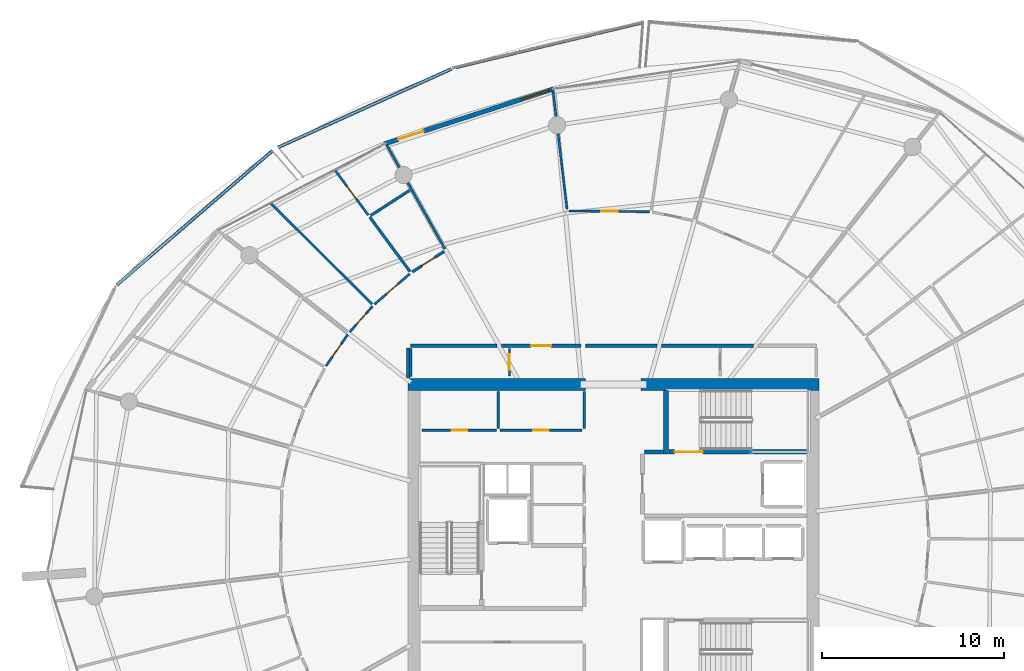
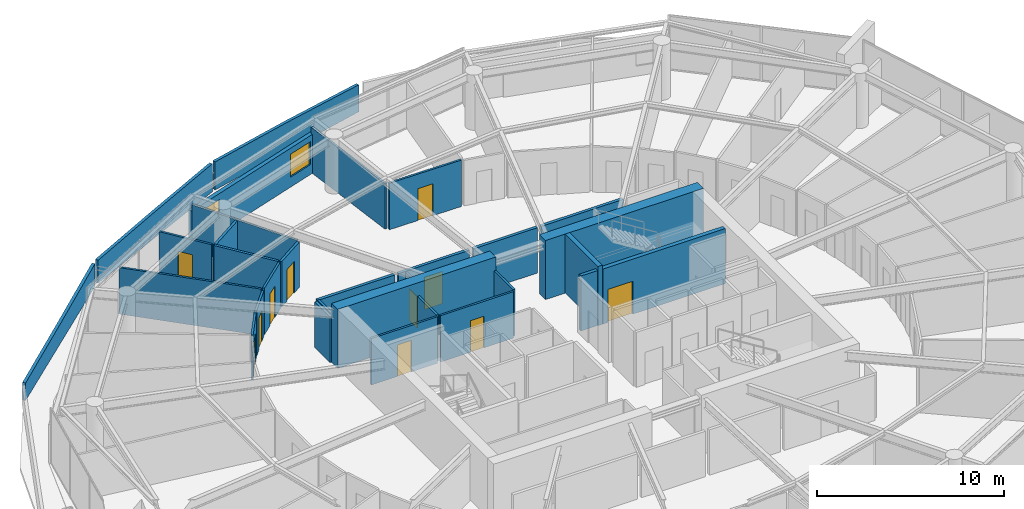
# One storey, part 22 of 31: 31 walls, 12 doors, 1 window, 13 openings.
"""IFC4 building model written with IfcOpenShell, lengths in metres."""

from ifc_helpers import new_model, si_unit, direction, frame, frame_2d, origin, place, context, subcontext, project, spatial, polyline, rectangle, outline, extrude, material, layer, layer_set, type_object, element, fill, save


model = new_model("IFC4")

# Units and contexts
model_context = context("Model", 3, precision=1e-05, world=origin(), true_north=direction((0.0, 1.0)))
body_context = subcontext(model_context, "Body", "Model", "MODEL_VIEW")
ifc_project = project(units=[si_unit("LENGTHUNIT", "METRE"), si_unit("AREAUNIT", "SQUARE_METRE"), si_unit("VOLUMEUNIT", "CUBIC_METRE"), si_unit("PLANEANGLEUNIT", "RADIAN"), si_unit("MASSUNIT", "GRAM", prefix="KILO")], contexts=[model_context])

# Site, building, storey
site_placement = place(None, origin())
site = spatial("IfcSite", under=ifc_project, at=site_placement, CompositionType="ELEMENT")
building_placement = place(site_placement, origin())
building = spatial("IfcBuilding", under=site, at=building_placement, Name="Kazma Halo Residences", CompositionType="ELEMENT")
storey_placement = place(building_placement, frame((0.0, 0.0, 248.25)))
storey = spatial("IfcBuildingStorey", under=building, at=storey_placement, Name="L62", CompositionType="ELEMENT", Elevation=248.25)

# Walls
ifc_material_1 = material(Name="White Concrete C50/60 Balustrade", Category="concrete")
ifc_layer_1 = layer(ifc_material_1, 0.179931640625)
ifc_layer_set_1 = layer_set([ifc_layer_1], Name="White Concrete C50/60 Balustrade")
wall_type_1 = type_object("IfcWallType", Name="WL-BAL-WAVE-180", PredefinedType="PARAPET", material=ifc_layer_set_1)
wall_1_placement = place(storey_placement, frame((50.047607421875, 70.219482421875, 0.0), z_axis=(0.0, 0.0, 1.0), x_axis=(-0.972325059784, -0.233632142729, 0.0)))
element("IfcWall", 1, at=wall_1_placement, inside=storey, type_object=wall_type_1, Name="L62 white wave balustrade wall NNW.1", PredefinedType="PARAPET", context=body_context, shape_type="SweptSolid", body=[
    extrude(outline(polyline([(0.0, 0.0), (10.580322265625, 0.0), (10.580322265625, 1.83203125), (5.290283203125, 1.85302734375), (0.0, 1.756103515625), (0.0, 0.0)])), frame((0.0, 0.08984375, 0.0), z_axis=(0.0, -1.0, 0.0), x_axis=(1.0, 0.0, 0.0)), (0.0, 0.0, 1.0), 0.179931640625),
])
wall_2_placement = place(storey_placement, frame((39.533935546875, 67.670166015625, 0.0), z_axis=(0.0, 0.0, 1.0), x_axis=(-0.910900469726, -0.412626143444, 0.0)))
element("IfcWall", 2, at=wall_2_placement, inside=storey, type_object=wall_type_1, Name="L62 white wave balustrade wall NNW.2", PredefinedType="PARAPET", context=body_context, shape_type="SweptSolid", body=[
    extrude(outline(polyline([(0.0, 0.0), (10.4755859375, 0.0), (10.4755859375, 1.4970703125), (5.23779296875, 1.696044921875), (0.0, 1.83203125), (0.0, 0.0)])), frame((0.0, 0.08984375, 0.0), z_axis=(0.0, -1.0, 0.0), x_axis=(1.0, 0.0, 0.0)), (0.0, 0.0, 1.0), 0.179931640625),
])
wall_3_placement = place(storey_placement, frame((29.69384765625, 63.17041015625, 0.0), z_axis=(0.0, 0.0, 1.0), x_axis=(-0.757188428153, -0.653196512751, 0.0)))
element("IfcWall", 3, at=wall_3_placement, inside=storey, type_object=wall_type_1, Name="L62 white wave balustrade wall NW.1", PredefinedType="PARAPET", context=body_context, shape_type="SweptSolid", body=[
    extrude(outline(polyline([(0.0, 0.0), (11.2783203125, 0.0), (11.2783203125, 1.14794921875), (5.63916015625, 1.283935546875), (0.0, 1.48291015625), (0.0, 0.0)])), frame((0.0, 0.08984375, 0.0), z_axis=(0.0, -1.0, 0.0), x_axis=(1.0, 0.0, 0.0)), (0.0, 0.0, 1.0), 0.179931640625),
])
ifc_material_2 = material(Name="Concrete C60/75", Category="concrete")
ifc_layer_2 = layer(ifc_material_2, 0.64990234375)
ifc_layer_set_2 = layer_set([ifc_layer_2], Name="Concrete C60/75")
wall_type_2 = type_object("IfcWallType", Name="WL-CORE-650", PredefinedType="SHEAR", material=ifc_layer_set_2)
for number, where, z_axis, x_axis, name in (
    (4, (37.14990234375, 50.324951171875, 0.0), (0.0, 0.0, 1.0), (1.0, 0.0, 0.0), "L62 central core shear wall NW"),
    (5, (49.949951171875, 50.324951171875, 0.0), (0.0, 0.0, 1.0), (1.0, 0.0, 0.0), "L62 central core shear wall NE"),
):
    element("IfcWall", number, at=place(storey_placement, frame(where, z_axis=z_axis, x_axis=x_axis)), inside=storey, type_object=wall_type_2, Name=name, PredefinedType="SHEAR", context=body_context, shape_type="SweptSolid", body=[
        extrude(rectangle(XDim=9.75, YDim=0.64990234375, at=frame_2d((4.875, 0.0))), origin(), (0.0, 0.0, 1.0), 3.85009765625),
    ])
ifc_layer_3 = layer(ifc_material_2, 0.280029296875)
ifc_layer_set_3 = layer_set([ifc_layer_3], Name="Concrete C60/75")
wall_type_3 = type_object("IfcWallType", Name="WL-CORE-ST-280", PredefinedType="SHEAR", material=ifc_layer_set_3)
wall_4_placement = place(storey_placement, frame((51.31005859375, 46.5, 0.0), z_axis=(0.0, 0.0, 1.0), x_axis=(0.0, 1.0, 0.0)))
element("IfcWall", 6, at=wall_4_placement, inside=storey, type_object=wall_type_3, Name="L62 stairwell bearing wall ST02-W", PredefinedType="SHEAR", context=body_context, shape_type="SweptSolid", body=[
    extrude(rectangle(XDim=3.5, YDim=0.280029296875, at=frame_2d((1.75, 0.0))), origin(), (0.0, 0.0, 1.0), 3.85009765625),
])

# Wall, opening, door
ifc_material_3 = material(Name="Acoustic Twin-Stud Gypsum")
ifc_layer_4 = layer(ifc_material_3, 0.179931640625)
ifc_layer_set_4 = layer_set([ifc_layer_4], Name="Acoustic Twin-Stud Gypsum")
wall_type_4 = type_object("IfcWallType", Name="WL-DEM-180", PredefinedType="PARTITIONING", material=ifc_layer_set_4)
wall_5_placement = place(storey_placement, frame((46.643310546875, 52.449951171875, 0.0), z_axis=(0.0, 0.0, 1.0), x_axis=(-1.0, 0.0, 0.0)))
wall_5 = element("IfcWall", 7, at=wall_5_placement, inside=storey, type_object=wall_type_4, Name="L62 Apartment 1 entrance corridor wall", PredefinedType="PARTITIONING", context=body_context, shape_type="SweptSolid", body=[
    extrude(rectangle(XDim=4.375732421875, YDim=0.179931640625, at=frame_2d((2.18798828125, 0.0))), origin(), (0.0, 0.0, 1.0), 2.95703125),
])
opening_1_placement = place(wall_5_placement, frame((1.6376953125, 0.0, 0.0)))
opening_1 = element("IfcOpeningElement", 8, at=opening_1_placement, cuts=wall_5, Name="Opening DA-1100", PredefinedType="OPENING", context=body_context, shape_type="SweptSolid", body=[
    extrude(rectangle(XDim=1.10009765625, YDim=2.10009765625, at=frame_2d((0.550048828125, 1.050048828125))), frame((0.0, 0.099853515625, 0.0), z_axis=(0.0, -1.0, 0.0), x_axis=(1.0, 0.0, 0.0)), (0.0, 0.0, 1.0), 0.199951171875),
])
ifc_material_4 = material(Name="Acoustic Walnut Fire Leaf")
door_type_1 = type_object("IfcDoorType", Name="DR-FD60-1100", OperationType="NOTDEFINED", PredefinedType="DOOR", material=ifc_material_4)
door_1_placement = place(opening_1_placement, origin())
door_1 = element("IfcDoor", 9, at=door_1_placement, inside=storey, type_object=door_type_1, Name="L62 Apartment 1 entrance fire door", OperationType="SINGLE_SWING_RIGHT", OverallHeight=2.10009765625, OverallWidth=1.10009765625, PredefinedType="DOOR", context=body_context, shape_type="SweptSolid", body=[
    extrude(rectangle(XDim=1.10009765625, YDim=2.10009765625, at=frame_2d((0.550048828125, 1.050048828125))), frame((0.0, 0.02490234375, 0.0), z_axis=(0.0, -1.0, 0.0), x_axis=(1.0, 0.0, 0.0)), (0.0, 0.0, 1.0), 0.050048828125),
])
fill(opening_1, door_1)

# Walls
wall_6_placement = place(storey_placement, frame((56.1181640625, 52.449951171875, 0.0), z_axis=(0.0, 0.0, 1.0), x_axis=(-1.0, 0.0, 0.0)))
element("IfcWall", 10, at=wall_6_placement, inside=storey, type_object=wall_type_4, Name="L62 Apartment 1 inner wall 1", PredefinedType="PARTITIONING", context=body_context, shape_type="SweptSolid", body=[
    extrude(rectangle(XDim=5.051025390625, YDim=0.179931640625, at=frame_2d((2.525390625, 0.0))), origin(), (0.0, 0.0, 1.0), 2.95703125),
])
wall_7_placement = place(storey_placement, frame((50.8271484375, 52.449951171875, 0.0), z_axis=(0.0, 0.0, 1.0), x_axis=(-1.0, 0.0, 0.0)))
element("IfcWall", 11, at=wall_7_placement, inside=storey, type_object=wall_type_4, Name="L62 Apartment 1 inner wall 2", PredefinedType="PARTITIONING", context=body_context, shape_type="SweptSolid", body=[
    extrude(rectangle(XDim=3.94384765625, YDim=0.179931640625, at=frame_2d((1.971923828125, 0.0))), origin(), (0.0, 0.0, 1.0), 2.95703125),
])
wall_8_placement = place(storey_placement, frame((42.027587890625, 52.449951171875, 0.0), z_axis=(0.0, 0.0, 1.0), x_axis=(-1.0, 0.0, 0.0)))
element("IfcWall", 12, at=wall_8_placement, inside=storey, type_object=wall_type_4, Name="L62 Apartment 1 inner wall 4", PredefinedType="PARTITIONING", context=body_context, shape_type="SweptSolid", body=[
    extrude(rectangle(XDim=4.757568359375, YDim=0.179931640625, at=frame_2d((2.37890625, 0.0))), origin(), (0.0, 0.0, 1.0), 2.95703125),
])
wall_9_placement = place(storey_placement, frame((37.14990234375, 52.330078125, 0.0), z_axis=(0.0, 0.0, 1.0), x_axis=(0.0, -1.0, 0.0)))
element("IfcWall", 13, at=wall_9_placement, inside=storey, type_object=wall_type_4, Name="L62 Apartment 1 inner wall 4", PredefinedType="PARTITIONING", context=body_context, shape_type="SweptSolid", body=[
    extrude(rectangle(XDim=1.656494140625, YDim=0.179931640625, at=frame_2d((0.828125, 0.0))), origin(), (0.0, 0.0, 1.0), 2.95703125),
])

# Wall, openings, door, window
ifc_material_5 = material(Name="Insulated Pale-Metal Composite Wall")
ifc_layer_5 = layer(ifc_material_5, 0.239990234375)
ifc_layer_set_5 = layer_set([ifc_layer_5], Name="Insulated Pale-Metal Composite Wall")
wall_type_5 = type_object("IfcWallType", Name="WL-EXT-HOST-240", PredefinedType="SOLIDWALL", material=ifc_layer_set_5)
wall_10_placement = place(storey_placement, frame((45.14208984375, 66.563720703125, 0.0), z_axis=(0.0, 0.0, 1.0), x_axis=(-0.951055974609, -0.309018661507, 0.0)))
wall_10 = element("IfcWall", 14, at=wall_10_placement, inside=storey, type_object=wall_type_5, Name="L62 exterior terrace-access wall B04", PredefinedType="SOLIDWALL", context=body_context, shape_type="SweptSolid", body=[
    extrude(rectangle(XDim=9.745361328125, YDim=0.239990234375, at=frame_2d((4.87255859375, 0.0))), origin(), (0.0, 0.0, 1.0), 2.5400390625),
])
opening_2_placement = place(wall_10_placement, frame((7.525390625, 0.0, 0.0)))
opening_2 = element("IfcOpeningElement", 15, at=opening_2_placement, cuts=wall_10, Name="Opening DTR-1600", PredefinedType="OPENING", context=body_context, shape_type="SweptSolid", body=[
    extrude(rectangle(XDim=1.449951171875, YDim=2.14990234375, at=frame_2d((0.72509765625, 1.074951171875))), frame((0.0, 0.1298828125, 0.0), z_axis=(0.0, -1.0, 0.0), x_axis=(1.0, 0.0, 0.0)), (0.0, 0.0, 1.0), 0.260009765625),
])
opening_3_placement = place(wall_10_placement, frame((0.280029296875, 0.0, 0.64990234375)))
opening_3 = element("IfcOpeningElement", 16, at=opening_3_placement, cuts=wall_10, Name="Opening W-1800", PredefinedType="OPENING", context=body_context, shape_type="SweptSolid", body=[
    extrude(rectangle(XDim=1.60009765625, YDim=1.5, at=frame_2d((0.800048828125, 0.75))), frame((0.0, 0.1298828125, 0.0), z_axis=(0.0, -1.0, 0.0), x_axis=(1.0, 0.0, 0.0)), (0.0, 0.0, 1.0), 0.260009765625),
])
ifc_material_6 = material(Name="Aluminium AW-6063 T6 Double-Glazed Terrace Door", Category="aluminium")
door_type_2 = type_object("IfcDoorType", Name="DR-EXT-TERR-1600", OperationType="NOTDEFINED", PredefinedType="DOOR", material=ifc_material_6)
door_2_placement = place(opening_2_placement, origin())
door_2 = element("IfcDoor", 17, at=door_2_placement, inside=storey, type_object=door_type_2, Name="L62 B04 balcony terrace door", OperationType="DOUBLE_DOOR_SLIDING", OverallHeight=2.14990234375, OverallWidth=1.449951171875, PredefinedType="DOOR", context=body_context, shape_type="SweptSolid", body=[
    extrude(rectangle(XDim=1.449951171875, YDim=2.14990234375, at=frame_2d((0.72509765625, 1.074951171875))), frame((0.0, 0.02490234375, 0.0), z_axis=(0.0, -1.0, 0.0), x_axis=(1.0, 0.0, 0.0)), (0.0, 0.0, 1.0), 0.050048828125),
])
fill(opening_2, door_2)
ifc_material_7 = material(Name="Clear Triple-Silver Low-E Glass in Aluminium AW-6063 T6 Frame", Category="aluminium")
window_type = type_object("IfcWindowType", Name="WIN-RES-1800", PartitioningType="DOUBLE_PANEL_VERTICAL", PredefinedType="WINDOW", material=ifc_material_7)
window_placement = place(opening_3_placement, origin())
window = element("IfcWindow", 18, at=window_placement, inside=storey, type_object=window_type, Name="L62 B04 apartment window", OverallHeight=1.5, OverallWidth=1.60009765625, PartitioningType="SINGLE_PANEL", PredefinedType="WINDOW", context=body_context, shape_type="SweptSolid", body=[
    extrude(rectangle(XDim=1.60009765625, YDim=1.5, at=frame_2d((0.800048828125, 0.75))), frame((0.0, 0.030029296875, 0.0), z_axis=(0.0, -1.0, 0.0), x_axis=(1.0, 0.0, 0.0)), (0.0, 0.0, 1.0), 0.06005859375),
])
fill(opening_3, window)

# Walls
ifc_material_8 = material(Name="Fire-Rated Blockwork Masonry", Category="masonry")
ifc_layer_6 = layer(ifc_material_8, 0.199951171875)
ifc_layer_set_6 = layer_set([ifc_layer_6], Name="Fire-Rated Blockwork Masonry")
wall_type_6 = type_object("IfcWallType", Name="WL-FLB-200", PredefinedType="PARTITIONING", material=ifc_layer_set_6)
wall_11_placement = place(storey_placement, frame((50.139892578125, 46.6201171875, 0.0), z_axis=(0.0, 0.0, 1.0), x_axis=(1.0, 0.0, 0.0)))
element("IfcWall", 19, at=wall_11_placement, inside=storey, type_object=wall_type_6, Name="L62 east firefighting lobby north closure wall", PredefinedType="PARTITIONING", context=body_context, shape_type="SweptSolid", body=[
    extrude(rectangle(XDim=1.02001953125, YDim=0.199951171875, at=frame_2d((0.510009765625, 0.0))), origin(), (0.0, 0.0, 1.0), 3.590087890625),
])
ifc_material_9 = material(Name="Gypsum Plasterboard Partition")
ifc_layer_7 = layer(ifc_material_9, 0.125)
ifc_layer_set_7 = layer_set([ifc_layer_7], Name="Gypsum Plasterboard Partition")
wall_type_7 = type_object("IfcWallType", Name="WL-PART-125", PredefinedType="PARTITIONING", material=ifc_layer_set_7)
for number, where, z_axis, x_axis, name in (
    (20, (46.820068359375, 47.919921875, 0.0), (0.0, 0.0, 1.0), (0.0, 1.0, 0.0), "L62 reclaimed north east wall"),
    (21, (42.10009765625, 47.919921875, 0.0), (0.0, 0.0, 1.0), (0.0, 1.0, 0.0), "L62 reclaimed north divider wall"),
):
    element("IfcWall", number, at=place(storey_placement, frame(where, z_axis=z_axis, x_axis=x_axis)), inside=storey, type_object=wall_type_7, Name=name, PredefinedType="PARTITIONING", context=body_context, shape_type="SweptSolid", body=[
        extrude(rectangle(XDim=2.030029296875, YDim=0.125, at=frame_2d((1.01513671875, 0.0))), origin(), (0.0, 0.0, 1.0), 3.030029296875),
    ])

# Wall, opening, door
wall_12_placement = place(storey_placement, frame((37.919921875, 47.820068359375, 0.0), z_axis=(0.0, 0.0, 1.0), x_axis=(1.0, 0.0, 0.0)))
wall_12 = element("IfcWall", 22, at=wall_12_placement, inside=storey, type_object=wall_type_7, Name="L62 reclaimed north W front wall", PredefinedType="PARTITIONING", context=body_context, shape_type="SweptSolid", body=[
    extrude(rectangle(XDim=4.080078125, YDim=0.125, at=frame_2d((2.0400390625, 0.0))), origin(), (0.0, 0.0, 1.0), 3.030029296875),
])
opening_4_placement = place(wall_12_placement, frame((1.614990234375, 0.0, 0.0)))
opening_4 = element("IfcOpeningElement", 23, at=opening_4_placement, cuts=wall_12, Name="Opening DS-850", PredefinedType="OPENING", context=body_context, shape_type="SweptSolid", body=[
    extrude(rectangle(XDim=0.85009765625, YDim=2.06005859375, at=frame_2d((0.425048828125, 1.030029296875))), frame((0.0, 0.072509765625, 0.0), z_axis=(0.0, -1.0, 0.0), x_axis=(1.0, 0.0, 0.0)), (0.0, 0.0, 1.0), 0.14501953125),
])
ifc_material_10 = material(Name="Painted Steel Access Leaf", Category="steel")
door_type_3 = type_object("IfcDoorType", Name="DR-SVC-850", OperationType="NOTDEFINED", PredefinedType="DOOR", material=ifc_material_10)
door_3_placement = place(opening_4_placement, origin())
door_3 = element("IfcDoor", 24, at=door_3_placement, inside=storey, type_object=door_type_3, Name="L62 reclaimed north W door", OperationType="SINGLE_SWING_RIGHT", OverallHeight=2.06005859375, OverallWidth=0.85009765625, PredefinedType="DOOR", context=body_context, shape_type="SweptSolid", body=[
    extrude(rectangle(XDim=0.85009765625, YDim=2.06005859375, at=frame_2d((0.425048828125, 1.030029296875))), frame((0.0, 0.02490234375, 0.0), z_axis=(0.0, -1.0, 0.0), x_axis=(1.0, 0.0, 0.0)), (0.0, 0.0, 1.0), 0.050048828125),
])
fill(opening_4, door_3)

wall_13_placement = place(storey_placement, frame((42.199951171875, 47.820068359375, 0.0), z_axis=(0.0, 0.0, 1.0), x_axis=(1.0, 0.0, 0.0)))
wall_13 = element("IfcWall", 25, at=wall_13_placement, inside=storey, type_object=wall_type_7, Name="L62 reclaimed north E front wall", PredefinedType="PARTITIONING", context=body_context, shape_type="SweptSolid", body=[
    extrude(rectangle(XDim=4.5, YDim=0.125, at=frame_2d((2.25, 0.0))), origin(), (0.0, 0.0, 1.0), 3.030029296875),
])
opening_5_placement = place(wall_13_placement, frame((1.824951171875, 0.0, 0.0)))
opening_5 = element("IfcOpeningElement", 26, at=opening_5_placement, cuts=wall_13, Name="Opening DS-850", PredefinedType="OPENING", context=body_context, shape_type="SweptSolid", body=[
    extrude(rectangle(XDim=0.85009765625, YDim=2.06005859375, at=frame_2d((0.425048828125, 1.030029296875))), frame((0.0, 0.072509765625, 0.0), z_axis=(0.0, -1.0, 0.0), x_axis=(1.0, 0.0, 0.0)), (0.0, 0.0, 1.0), 0.14501953125),
])
door_4_placement = place(opening_5_placement, origin())
door_4 = element("IfcDoor", 27, at=door_4_placement, inside=storey, type_object=door_type_3, Name="L62 reclaimed north E door", OperationType="SINGLE_SWING_LEFT", OverallHeight=2.06005859375, OverallWidth=0.85009765625, PredefinedType="DOOR", context=body_context, shape_type="SweptSolid", body=[
    extrude(rectangle(XDim=0.85009765625, YDim=2.06005859375, at=frame_2d((0.425048828125, 1.030029296875))), frame((0.0, 0.02490234375, 0.0), z_axis=(0.0, -1.0, 0.0), x_axis=(1.0, 0.0, 0.0)), (0.0, 0.0, 1.0), 0.050048828125),
])
fill(opening_5, door_4)

# Wall
wall_14_placement = place(storey_placement, frame((37.2900390625, 50.77001953125, 0.0), z_axis=(0.0, 0.0, 1.0), x_axis=(0.0, 1.0, 0.0)))
element("IfcWall", 28, at=wall_14_placement, inside=storey, type_object=wall_type_7, Name="L62 west linen end wall", PredefinedType="PARTITIONING", context=body_context, shape_type="SweptSolid", body=[
    extrude(rectangle(XDim=1.5400390625, YDim=0.125, at=frame_2d((0.77001953125, 0.0))), origin(), (0.0, 0.0, 1.0), 3.030029296875),
])

# Wall, opening, door
wall_15_placement = place(storey_placement, frame((42.7099609375, 50.7900390625, 0.0), z_axis=(0.0, 0.0, 1.0), x_axis=(0.0, 1.0, 0.0)))
wall_15 = element("IfcWall", 29, at=wall_15_placement, inside=storey, type_object=wall_type_7, Name="L62 floor linen store door wall", PredefinedType="PARTITIONING", context=body_context, shape_type="SweptSolid", body=[
    extrude(rectangle(XDim=1.52001953125, YDim=0.125, at=frame_2d((0.760009765625, 0.0))), origin(), (0.0, 0.0, 1.0), 2.95703125),
])
opening_6_placement = place(wall_15_placement, frame((0.3349609375, 0.0, 0.0)))
opening_6 = element("IfcOpeningElement", 30, at=opening_6_placement, cuts=wall_15, Name="Opening DS-850", PredefinedType="OPENING", context=body_context, shape_type="SweptSolid", body=[
    extrude(rectangle(XDim=0.85009765625, YDim=2.06005859375, at=frame_2d((0.425048828125, 1.030029296875))), frame((0.0, 0.072509765625, 0.0), z_axis=(0.0, -1.0, 0.0), x_axis=(1.0, 0.0, 0.0)), (0.0, 0.0, 1.0), 0.14501953125),
])
door_5_placement = place(opening_6_placement, origin())
door_5 = element("IfcDoor", 31, at=door_5_placement, inside=storey, type_object=door_type_3, Name="L62 floor linen store door", OperationType="SINGLE_SWING_LEFT", OverallHeight=2.06005859375, OverallWidth=0.85009765625, PredefinedType="DOOR", context=body_context, shape_type="SweptSolid", body=[
    extrude(rectangle(XDim=0.85009765625, YDim=2.06005859375, at=frame_2d((0.425048828125, 1.030029296875))), frame((0.0, 0.02490234375, 0.0), z_axis=(0.0, -1.0, 0.0), x_axis=(1.0, 0.0, 0.0)), (0.0, 0.0, 1.0), 0.050048828125),
])
fill(opening_6, door_5)

# Wall
wall_16_placement = place(storey_placement, frame((45.8740234375, 59.961669921875, 0.0), z_axis=(0.0, 0.0, 1.0), x_axis=(-0.117533659592, 0.993068899353, 0.0)))
element("IfcWall", 32, at=wall_16_placement, inside=storey, type_object=wall_type_7, Name="L62 Apartment 1 living radial partition 2", PredefinedType="PARTITIONING", context=body_context, shape_type="SweptSolid", body=[
    extrude(rectangle(XDim=6.607666015625, YDim=0.125, at=frame_2d((3.3037109375, 0.0))), origin(), (0.0, 0.0, 1.0), 2.95703125),
])

# Wall, opening, door
wall_17_placement = place(storey_placement, frame((50.412353515625, 59.814208984375, 0.0), z_axis=(0.0, 0.0, 1.0), x_axis=(-0.999943934923, 0.01058900422, 0.0)))
wall_17 = element("IfcWall", 33, at=wall_17_placement, inside=storey, type_object=wall_type_7, Name="L62 Apartment 1 South Master Bedroom hall wall", PredefinedType="PARTITIONING", context=body_context, shape_type="SweptSolid", body=[
    extrude(rectangle(XDim=4.4267578125, YDim=0.125, at=frame_2d((2.21337890625, 0.0))), origin(), (0.0, 0.0, 1.0), 3.030029296875),
])
opening_7_placement = place(wall_17_placement, frame((1.763427734375, 0.0, 0.0)))
opening_7 = element("IfcOpeningElement", 34, at=opening_7_placement, cuts=wall_17, Name="Opening DI-950", PredefinedType="OPENING", context=body_context, shape_type="SweptSolid", body=[
    extrude(rectangle(XDim=0.89990234375, YDim=2.080078125, at=frame_2d((0.449951171875, 1.0400390625))), frame((0.0, 0.072509765625, 0.0), z_axis=(0.0, -1.0, 0.0), x_axis=(1.0, 0.0, 0.0)), (0.0, 0.0, 1.0), 0.14501953125),
])
ifc_material_11 = material(Name="Timber Veneer Flush Leaf", Category="wood")
door_type_4 = type_object("IfcDoorType", Name="DR-INT-950", OperationType="NOTDEFINED", PredefinedType="DOOR", material=ifc_material_11)
door_6_placement = place(opening_7_placement, origin())
door_6 = element("IfcDoor", 35, at=door_6_placement, inside=storey, type_object=door_type_4, Name="L62 Apartment 1 South Master Bedroom door", OperationType="SINGLE_SWING_RIGHT", OverallHeight=2.080078125, OverallWidth=0.89990234375, PredefinedType="DOOR", context=body_context, shape_type="SweptSolid", body=[
    extrude(rectangle(XDim=0.89990234375, YDim=2.080078125, at=frame_2d((0.449951171875, 1.0400390625))), frame((0.0, 0.02490234375, 0.0), z_axis=(0.0, -1.0, 0.0), x_axis=(1.0, 0.0, 0.0)), (0.0, 0.0, 1.0), 0.050048828125),
])
fill(opening_7, door_6)

# Wall
wall_18_placement = place(storey_placement, frame((39.162353515625, 57.78076171875, 0.0), z_axis=(0.0, 0.0, 1.0), x_axis=(-0.488634212347, 0.872488742921, 0.0)))
element("IfcWall", 36, at=wall_18_placement, inside=storey, type_object=wall_type_7, Name="L62 Apartment 1 radial partition 4", PredefinedType="PARTITIONING", context=body_context, shape_type="SweptSolid", body=[
    extrude(rectangle(XDim=6.5078125, YDim=0.125, at=frame_2d((3.25390625, 0.0))), origin(), (0.0, 0.0, 1.0), 2.95703125),
])

# Wall, opening, door
wall_19_placement = place(storey_placement, frame((34.958984375, 59.62744140625, 0.0), z_axis=(0.0, 0.0, 1.0), x_axis=(-0.594802878268, 0.803871591738, 0.0)))
wall_19 = element("IfcWall", 37, at=wall_19_placement, inside=storey, type_object=wall_type_7, Name="L62 Apartment 1 Outer Walk-In Wardrobe partition wall", PredefinedType="PARTITIONING", context=body_context, shape_type="SweptSolid", body=[
    extrude(rectangle(XDim=3.06640625, YDim=0.125, at=frame_2d((1.533203125, 0.0))), origin(), (0.0, 0.0, 1.0), 3.030029296875),
])
opening_8_placement = place(wall_19_placement, frame((1.1083984375, 0.0, 0.0)))
opening_8 = element("IfcOpeningElement", 38, at=opening_8_placement, cuts=wall_19, Name="Opening DB-900", PredefinedType="OPENING", context=body_context, shape_type="SweptSolid", body=[
    extrude(rectangle(XDim=0.85009765625, YDim=2.06005859375, at=frame_2d((0.425048828125, 1.030029296875))), frame((0.0, 0.072509765625, 0.0), z_axis=(0.0, -1.0, 0.0), x_axis=(1.0, 0.0, 0.0)), (0.0, 0.0, 1.0), 0.14501953125),
])
ifc_material_12 = material(Name="Moisture-Sealed Timber Leaf", Category="wood")
door_type_5 = type_object("IfcDoorType", Name="DR-BTH-900", OperationType="NOTDEFINED", PredefinedType="DOOR", material=ifc_material_12)
door_7_placement = place(opening_8_placement, origin())
door_7 = element("IfcDoor", 39, at=door_7_placement, inside=storey, type_object=door_type_5, Name="L62 Apartment 1 Outer Walk-In Wardrobe door", OperationType="SINGLE_SWING_RIGHT", OverallHeight=2.06005859375, OverallWidth=0.85009765625, PredefinedType="DOOR", context=body_context, shape_type="SweptSolid", body=[
    extrude(rectangle(XDim=0.85009765625, YDim=2.06005859375, at=frame_2d((0.425048828125, 1.030029296875))), frame((0.0, 0.02490234375, 0.0), z_axis=(0.0, -1.0, 0.0), x_axis=(1.0, 0.0, 0.0)), (0.0, 0.0, 1.0), 0.050048828125),
])
fill(opening_8, door_7)

# Wall
wall_20_placement = place(storey_placement, frame((35.17529296875, 54.73974609375, 0.0), z_axis=(0.0, 0.0, 1.0), x_axis=(-0.709454223479, 0.70475151989, 0.0)))
element("IfcWall", 40, at=wall_20_placement, inside=storey, type_object=wall_type_7, Name="L62 Apartment 1 suite divider 4", PredefinedType="PARTITIONING", context=body_context, shape_type="SweptSolid", body=[
    extrude(rectangle(XDim=7.839111328125, YDim=0.125, at=frame_2d((3.91943359375, 0.0))), origin(), (0.0, 0.0, 1.0), 3.030029296875),
])

# Wall, opening, door
wall_21_placement = place(storey_placement, frame((37.234130859375, 56.40087890625, 0.0), z_axis=(0.0, 0.0, 1.0), x_axis=(-0.756561034508, -0.653923084976, 0.0)))
wall_21 = element("IfcWall", 41, at=wall_21_placement, inside=storey, type_object=wall_type_7, Name="L62 Apartment 1 Corner Private Study hall wall", PredefinedType="PARTITIONING", context=body_context, shape_type="SweptSolid", body=[
    extrude(rectangle(XDim=2.55712890625, YDim=0.125, at=frame_2d((1.278564453125, 0.0))), origin(), (0.0, 0.0, 1.0), 3.030029296875),
])
opening_9_placement = place(wall_21_placement, frame((0.853515625, 0.0, 0.0)))
opening_9 = element("IfcOpeningElement", 42, at=opening_9_placement, cuts=wall_21, Name="Opening DB-900", PredefinedType="OPENING", context=body_context, shape_type="SweptSolid", body=[
    extrude(rectangle(XDim=0.85009765625, YDim=2.06005859375, at=frame_2d((0.425048828125, 1.030029296875))), frame((0.0, 0.072509765625, 0.0), z_axis=(0.0, -1.0, 0.0), x_axis=(1.0, 0.0, 0.0)), (0.0, 0.0, 1.0), 0.14501953125),
])
door_8_placement = place(opening_9_placement, origin())
door_8 = element("IfcDoor", 43, at=door_8_placement, inside=storey, type_object=door_type_5, Name="L62 Apartment 1 Corner Private Study door", OperationType="SINGLE_SWING_LEFT", OverallHeight=2.06005859375, OverallWidth=0.85009765625, PredefinedType="DOOR", context=body_context, shape_type="SweptSolid", body=[
    extrude(rectangle(XDim=0.85009765625, YDim=2.06005859375, at=frame_2d((0.425048828125, 1.030029296875))), frame((0.0, 0.02490234375, 0.0), z_axis=(0.0, -1.0, 0.0), x_axis=(1.0, 0.0, 0.0)), (0.0, 0.0, 1.0), 0.050048828125),
])
fill(opening_9, door_8)

wall_22_placement = place(storey_placement, frame((35.18603515625, 54.616455078125, 0.0), z_axis=(0.0, 0.0, 1.0), x_axis=(-0.662974884037, -0.74864163866, 0.0)))
wall_22 = element("IfcWall", 44, at=wall_22_placement, inside=storey, type_object=wall_type_7, Name="L62 Apartment 1 Garden Master Bedroom hall wall", PredefinedType="PARTITIONING", context=body_context, shape_type="SweptSolid", body=[
    extrude(rectangle(XDim=1.878173828125, YDim=0.125, at=frame_2d((0.93896484375, 0.0))), origin(), (0.0, 0.0, 1.0), 2.95703125),
])
opening_10_placement = place(wall_22_placement, frame((0.51416015625, 0.0, 0.0)))
opening_10 = element("IfcOpeningElement", 45, at=opening_10_placement, cuts=wall_22, Name="Opening DB-900", PredefinedType="OPENING", context=body_context, shape_type="SweptSolid", body=[
    extrude(rectangle(XDim=0.85009765625, YDim=2.06005859375, at=frame_2d((0.425048828125, 1.030029296875))), frame((0.0, 0.072509765625, 0.0), z_axis=(0.0, -1.0, 0.0), x_axis=(1.0, 0.0, 0.0)), (0.0, 0.0, 1.0), 0.14501953125),
])
door_9_placement = place(opening_10_placement, origin())
door_9 = element("IfcDoor", 46, at=door_9_placement, inside=storey, type_object=door_type_5, Name="L62 Apartment 1 Garden Master Bedroom door", OperationType="SINGLE_SWING_RIGHT", OverallHeight=2.06005859375, OverallWidth=0.85009765625, PredefinedType="DOOR", context=body_context, shape_type="SweptSolid", body=[
    extrude(rectangle(XDim=0.85009765625, YDim=2.06005859375, at=frame_2d((0.425048828125, 1.030029296875))), frame((0.0, 0.02490234375, 0.0), z_axis=(0.0, -1.0, 0.0), x_axis=(1.0, 0.0, 0.0)), (0.0, 0.0, 1.0), 0.050048828125),
])
fill(opening_10, door_9)

wall_23_placement = place(storey_placement, frame((33.8291015625, 53.06982421875, 0.0), z_axis=(0.0, 0.0, 1.0), x_axis=(-0.568580744167, -0.822627459645, 0.0)))
wall_23 = element("IfcWall", 47, at=wall_23_placement, inside=storey, type_object=wall_type_7, Name="L62 Apartment 1 Sky Bedroom hall wall", PredefinedType="PARTITIONING", context=body_context, shape_type="SweptSolid", body=[
    extrude(rectangle(XDim=2.098876953125, YDim=0.125, at=frame_2d((1.04931640625, 0.0))), origin(), (0.0, 0.0, 1.0), 2.95703125),
])
opening_11_placement = place(wall_23_placement, frame((0.62451171875, 0.0, 0.0)))
opening_11 = element("IfcOpeningElement", 48, at=opening_11_placement, cuts=wall_23, Name="Opening DB-900", PredefinedType="OPENING", context=body_context, shape_type="SweptSolid", body=[
    extrude(rectangle(XDim=0.85009765625, YDim=2.06005859375, at=frame_2d((0.425048828125, 1.030029296875))), frame((0.0, 0.072509765625, 0.0), z_axis=(0.0, -1.0, 0.0), x_axis=(1.0, 0.0, 0.0)), (0.0, 0.0, 1.0), 0.14501953125),
])
door_10_placement = place(opening_11_placement, origin())
door_10 = element("IfcDoor", 49, at=door_10_placement, inside=storey, type_object=door_type_5, Name="L62 Apartment 1 Sky Bedroom door", OperationType="SINGLE_SWING_LEFT", OverallHeight=2.06005859375, OverallWidth=0.85009765625, PredefinedType="DOOR", context=body_context, shape_type="SweptSolid", body=[
    extrude(rectangle(XDim=0.85009765625, YDim=2.06005859375, at=frame_2d((0.425048828125, 1.030029296875))), frame((0.0, 0.02490234375, 0.0), z_axis=(0.0, -1.0, 0.0), x_axis=(1.0, 0.0, 0.0)), (0.0, 0.0, 1.0), 0.050048828125),
])
fill(opening_11, door_10)

ifc_material_13 = material(Name="Concrete C50/60", Category="concrete")
ifc_layer_8 = layer(ifc_material_13, 0.25)
ifc_layer_set_8 = layer_set([ifc_layer_8], Name="Concrete C50/60")
wall_type_8 = type_object("IfcWallType", Name="WL-SHF-250", PredefinedType="SOLIDWALL", material=ifc_layer_set_8)
wall_24_placement = place(storey_placement, frame((51.47998046875, 46.6201171875, 0.0), z_axis=(0.0, 0.0, 1.0), x_axis=(1.0, 0.0, 0.0)))
wall_24 = element("IfcWall", 50, at=wall_24_placement, inside=storey, type_object=wall_type_8, Name="L62 exit stair ST-02 enclosure wall", PredefinedType="SOLIDWALL", context=body_context, shape_type="SweptSolid", body=[
    extrude(rectangle(XDim=7.5400390625, YDim=0.25, at=frame_2d((3.77001953125, 0.0))), origin(), (0.0, 0.0, 1.0), 3.590087890625),
])
opening_12_placement = place(wall_24_placement, frame((0.300048828125, 0.0, 0.0)))
opening_12 = element("IfcOpeningElement", 51, at=opening_12_placement, cuts=wall_24, Name="Opening D-ST2", PredefinedType="OPENING", context=body_context, shape_type="SweptSolid", body=[
    extrude(rectangle(XDim=1.550048828125, YDim=2.14990234375, at=frame_2d((0.77490234375, 1.074951171875))), frame((0.0, 0.135009765625, 0.0), z_axis=(0.0, -1.0, 0.0), x_axis=(1.0, 0.0, 0.0)), (0.0, 0.0, 1.0), 0.27001953125),
])
ifc_material_14 = material(Name="Fire-Rated Double Steel Leaf", Category="steel")
door_type_6 = type_object("IfcDoorType", Name="DR-FD90-1550", OperationType="NOTDEFINED", PredefinedType="DOOR", material=ifc_material_14)
door_11_placement = place(opening_12_placement, origin())
door_11 = element("IfcDoor", 52, at=door_11_placement, inside=storey, type_object=door_type_6, Name="L62 exit stair ST-02 fire door", OperationType="DOUBLE_DOOR_SINGLE_SWING", OverallHeight=2.14990234375, OverallWidth=1.550048828125, PredefinedType="DOOR", context=body_context, shape_type="SweptSolid", body=[
    extrude(rectangle(XDim=1.550048828125, YDim=2.14990234375, at=frame_2d((0.77490234375, 1.074951171875))), frame((0.0, 0.02490234375, 0.0), z_axis=(0.0, -1.0, 0.0), x_axis=(1.0, 0.0, 0.0)), (0.0, 0.0, 1.0), 0.050048828125),
])
fill(opening_12, door_11)

ifc_material_15 = material(Name="Moisture-Resistant Gypsum")
ifc_layer_9 = layer(ifc_material_15, 0.14990234375)
ifc_layer_set_9 = layer_set([ifc_layer_9], Name="Moisture-Resistant Gypsum")
wall_type_9 = type_object("IfcWallType", Name="WL-WET-150", PredefinedType="PARTITIONING", material=ifc_layer_set_9)
wall_25_placement = place(storey_placement, frame((39.127197265625, 57.639404296875, 0.0), z_axis=(0.0, 0.0, 1.0), x_axis=(-0.839881323623, -0.542770082291, 0.0)))
wall_25 = element("IfcWall", 53, at=wall_25_placement, inside=storey, type_object=wall_type_9, Name="L62 Apartment 1 Inner En-Suite Bathroom hall wall", PredefinedType="PARTITIONING", context=body_context, shape_type="SweptSolid", body=[
    extrude(rectangle(XDim=2.0830078125, YDim=0.14990234375, at=frame_2d((1.04150390625, 0.0))), origin(), (0.0, 0.0, 1.0), 2.95703125),
])
opening_13_placement = place(wall_25_placement, frame((0.616455078125, 0.0, 0.0)))
opening_13 = element("IfcOpeningElement", 54, at=opening_13_placement, cuts=wall_25, Name="Opening DB-900", PredefinedType="OPENING", context=body_context, shape_type="SweptSolid", body=[
    extrude(rectangle(XDim=0.85009765625, YDim=2.06005859375, at=frame_2d((0.425048828125, 1.030029296875))), frame((0.0, 0.0849609375, 0.0), z_axis=(0.0, -1.0, 0.0), x_axis=(1.0, 0.0, 0.0)), (0.0, 0.0, 1.0), 0.169921875),
])
door_12_placement = place(opening_13_placement, origin())
door_12 = element("IfcDoor", 55, at=door_12_placement, inside=storey, type_object=door_type_5, Name="L62 Apartment 1 Inner En-Suite Bathroom door", OperationType="SINGLE_SWING_LEFT", OverallHeight=2.06005859375, OverallWidth=0.85009765625, PredefinedType="DOOR", context=body_context, shape_type="SweptSolid", body=[
    extrude(rectangle(XDim=0.85009765625, YDim=2.06005859375, at=frame_2d((0.425048828125, 1.030029296875))), frame((0.0, 0.02490234375, 0.0), z_axis=(0.0, -1.0, 0.0), x_axis=(1.0, 0.0, 0.0)), (0.0, 0.0, 1.0), 0.050048828125),
])
fill(opening_13, door_12)

# Walls
wall_26_placement = place(storey_placement, frame((37.24609375, 60.998291015625, 0.0), z_axis=(0.0, 0.0, 1.0), x_axis=(-0.839916668497, -0.542715385798, 0.0)))
element("IfcWall", 56, at=wall_26_placement, inside=storey, type_object=wall_type_9, Name="L62 Apartment 1 Inner En-Suite Bathroom back wall", PredefinedType="PARTITIONING", context=body_context, shape_type="SweptSolid", body=[
    extrude(rectangle(XDim=2.569580078125, YDim=0.14990234375, at=frame_2d((1.28466796875, 0.0))), origin(), (0.0, 0.0, 1.0), 2.95703125),
])
wall_27_placement = place(storey_placement, frame((37.248779296875, 56.5322265625, 0.0), z_axis=(0.0, 0.0, 1.0), x_axis=(-0.59478957188, 0.803881437267, 0.0)))
element("IfcWall", 57, at=wall_27_placement, inside=storey, type_object=wall_type_9, Name="L62 Apartment 1 Inner En-Suite Bathroom side wall", PredefinedType="PARTITIONING", context=body_context, shape_type="SweptSolid", body=[
    extrude(rectangle(XDim=3.719970703125, YDim=0.14990234375, at=frame_2d((1.85986328125, 0.0))), origin(), (0.0, 0.0, 1.0), 3.030029296875),
])

save(model, "model.ifc")
